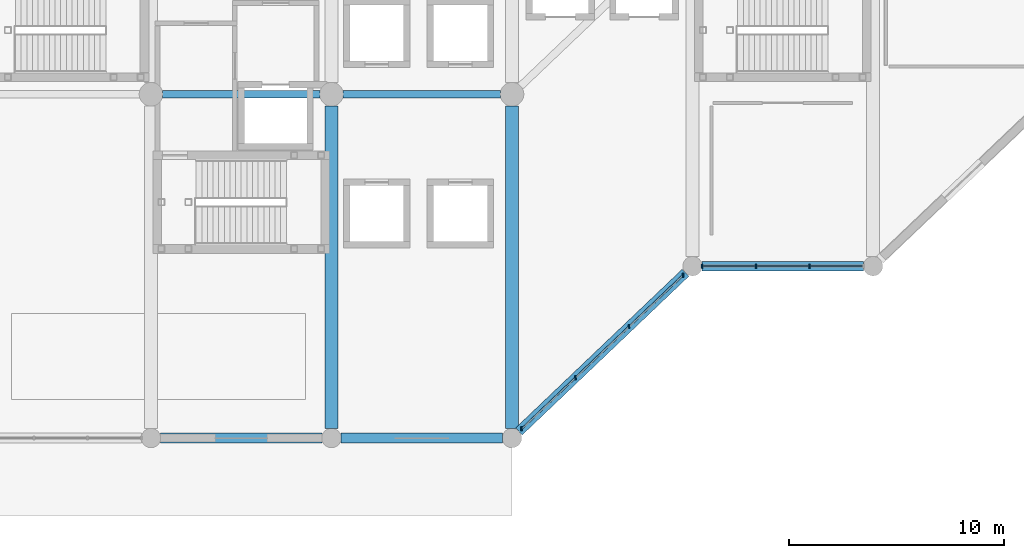
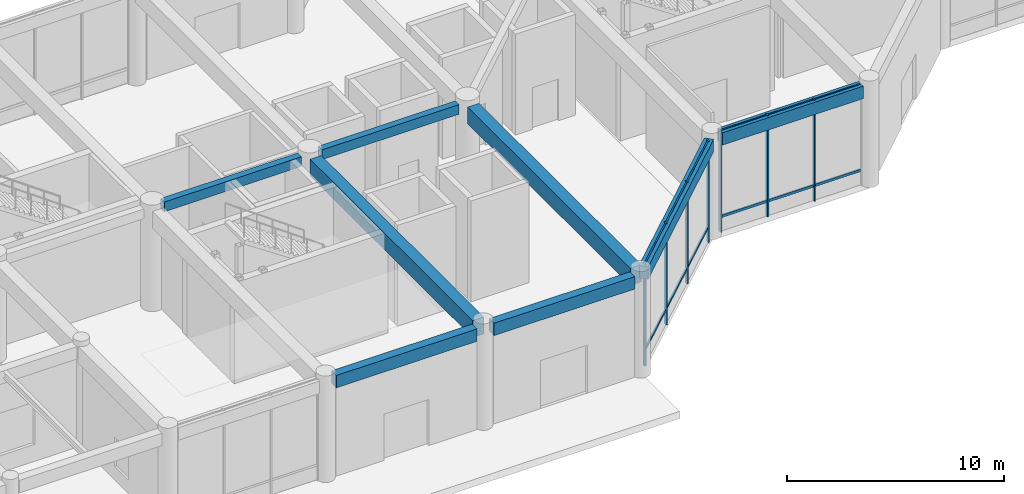
# One storey, part 38 of 76: 19 members, 8 beams, 2 elements without a shape of their own.
"""IFC4 building model written with IfcOpenShell, lengths in metres."""

from ifc_helpers import new_model, si_unit, direction, frame, origin, origin_2d, place, context, subcontext, project, spatial, rectangle, extrude, material, layer, layer_set, material_profile, profile_set, type_object, element, aggregate, save


model = new_model("IFC4")

# Units and contexts
model_context = context("Model", 3, precision=1e-05, world=origin(), true_north=direction((0.0, 1.0)))
body_context = subcontext(model_context, "Body", "Model", "MODEL_VIEW")
ifc_project = project(units=[si_unit("LENGTHUNIT", "METRE"), si_unit("AREAUNIT", "SQUARE_METRE"), si_unit("VOLUMEUNIT", "CUBIC_METRE"), si_unit("PLANEANGLEUNIT", "RADIAN"), si_unit("MASSUNIT", "GRAM", prefix="KILO")], contexts=[model_context])

# Site, building, storey
site_placement = place(None, origin())
site = spatial("IfcSite", under=ifc_project, at=site_placement, CompositionType="ELEMENT")
building_placement = place(site_placement, origin())
building = spatial("IfcBuilding", under=site, at=building_placement, Name="Naruveol Harbour Congress Hotel", CompositionType="ELEMENT")
storey_placement = place(building_placement, origin())
storey = spatial("IfcBuildingStorey", under=building, at=storey_placement, Name="L00", CompositionType="ELEMENT", Elevation=0.0)

# Beams
ifc_material_1 = material(Name="Concrete C40/50", Category="concrete")
ifc_material_profile_1 = material_profile(ifc_material_1, rectangle(XDim=0.60009765625, YDim=0.949951171875, at=origin_2d()), Name="RCB-600x950")
ifc_profile_set_1 = profile_set([ifc_material_profile_1], Name="Concrete C40/50")
beam_type_1 = type_object("IfcBeamType", Name="RC LONG SPAN GIRDER 600X950", PredefinedType="BEAM", material=ifc_profile_set_1)
for number, where, z_axis, x_axis, name in (
    (1, (134.39990234375, 0.446044921875, 5.22509765625), (0.0, 1.0, 0.0), (-1.0, 0.0, 0.0), "Hotel pilotis girder L01 CB1"),
    (2, (142.800048828125, 0.446044921875, 5.22509765625), (0.0, 1.0, 0.0), (-1.0, 0.0, 0.0), "Hotel pilotis girder L01 CB1"),
):
    element("IfcBeam", number, at=place(storey_placement, frame(where, z_axis=z_axis, x_axis=x_axis)), inside=storey, type_object=beam_type_1, Name=name, PredefinedType="BEAM", context=body_context, shape_type="SweptSolid", body=[
        extrude(rectangle(XDim=0.60009765625, YDim=0.949951171875, at=origin_2d()), origin(), (0.0, 0.0, 1.0), 15.008056640625),
    ])
ifc_material_2 = material(Name="Concrete C40/50", Category="concrete")
ifc_material_profile_2 = material_profile(ifc_material_2, rectangle(XDim=0.35009765625, YDim=0.550048828125, at=origin_2d()), Name="RCB-350x550")
ifc_profile_set_2 = profile_set([ifc_material_profile_2], Name="Concrete C40/50")
beam_type_2 = type_object("IfcBeamType", Name="RC SECONDARY BEAM 350X550", PredefinedType="JOIST", material=ifc_profile_set_2)
beam_1_placement = place(storey_placement, frame((126.5458984375, 16.0, 5.425048828125), z_axis=(1.0, 0.0, 0.0), x_axis=(0.0, 1.0, 0.0)))
element("IfcBeam", 3, at=beam_1_placement, inside=storey, type_object=beam_type_2, Name="Hotel chord beam L01 CJ1", PredefinedType="JOIST", context=body_context, shape_type="SweptSolid", body=[
    extrude(rectangle(XDim=0.35009765625, YDim=0.550048828125, at=origin_2d()), origin(), (0.0, 0.0, 1.0), 7.30810546875),
])
beam_2_placement = place(storey_placement, frame((134.946044921875, 16.0, 5.425048828125), z_axis=(1.0, 0.0, 0.0), x_axis=(0.0, 1.0, 0.0)))
element("IfcBeam", 4, at=beam_2_placement, inside=storey, type_object=beam_type_2, Name="Hotel chord beam L01 CJ1", PredefinedType="JOIST", context=body_context, shape_type="SweptSolid", body=[
    extrude(rectangle(XDim=0.35009765625, YDim=0.550048828125, at=origin_2d()), origin(), (0.0, 0.0, 1.0), 7.307861328125),
])
ifc_material_3 = material(Name="Concrete C40/50", Category="concrete")
ifc_material_profile_3 = material_profile(ifc_material_3, rectangle(XDim=0.449951171875, YDim=0.699951171875, at=origin_2d()), Name="RCB-450x700")
ifc_profile_set_3 = profile_set([ifc_material_profile_3], Name="Concrete C40/50")
beam_type_3 = type_object("IfcBeamType", Name="RC SPANDREL BEAM 450X700", PredefinedType="SPANDREL", material=ifc_profile_set_3)
for number, where, z_axis, x_axis, name in (
    (5, (126.446044921875, 0.0, 5.35009765625), (1.0, 0.0, 0.0), (0.0, 1.0, 0.0), "Hotel chord beam L01 SPB1"),
    (6, (134.845947265625, 0.0, 5.35009765625), (1.0, 0.0, 0.0), (0.0, 1.0, 0.0), "Hotel chord beam L01 SPB1"),
):
    element("IfcBeam", number, at=place(storey_placement, frame(where, z_axis=z_axis, x_axis=x_axis)), inside=storey, type_object=beam_type_3, Name=name, PredefinedType="SPANDREL", context=body_context, shape_type="SweptSolid", body=[
        extrude(rectangle(XDim=0.449951171875, YDim=0.699951171875, at=origin_2d()), origin(), (0.0, 0.0, 1.0), 7.508056640625),
    ])
beam_3_placement = place(storey_placement, frame((143.123046875, 0.3076171875, 5.35009765625), z_axis=(0.724133593293, 0.689659727013, 0.0), x_axis=(-0.689659727013, 0.724133593293, 0.0)))
element("IfcBeam", 7, at=beam_3_placement, inside=storey, type_object=beam_type_3, Name="Hotel chord beam L01 SPB1", PredefinedType="SPANDREL", context=body_context, shape_type="SweptSolid", body=[
    extrude(rectangle(XDim=0.449951171875, YDim=0.699951171875, at=origin_2d()), origin(), (0.0, 0.0, 1.0), 10.707763671875),
])
beam_4_placement = place(storey_placement, frame((151.64599609375, 8.0, 5.35009765625), z_axis=(1.0, 0.0, 0.0), x_axis=(0.0, 1.0, 0.0)))
element("IfcBeam", 8, at=beam_4_placement, inside=storey, type_object=beam_type_3, Name="Hotel chord beam L01 SPB1", PredefinedType="SPANDREL", context=body_context, shape_type="SweptSolid", body=[
    extrude(rectangle(XDim=0.449951171875, YDim=0.699951171875, at=origin_2d()), origin(), (0.0, 0.0, 1.0), 7.508056640625),
])

# Curtain wall, members
ifc_material_4 = material(Name="Low-E Curtain Wall System", Category="glass")
ifc_layer_1 = layer(ifc_material_4, 0.179931640625)
ifc_layer_set_1 = layer_set([ifc_layer_1], Name="Low-E Curtain Wall System")
curtain_wall_type_1 = type_object("IfcCurtainWallType", Name="UNITISED CURTAIN WALL CW-V5S-48 10357X5720", PredefinedType="USERDEFINED", material=ifc_layer_set_1)
curtain_wall_1_placement = place(storey_placement, origin())
curtain_wall_1 = element("IfcCurtainWall", 9, at=curtain_wall_1_placement, inside=storey, type_object=curtain_wall_type_1, Name="Unitised curtain wall CW-V5S-48 L00", ObjectType="UNITISED GLAZING", PredefinedType="USERDEFINED")
ifc_material_5 = material(Name="Anodised Aluminium 6063-T6", Category="aluminium")
ifc_material_profile_4 = material_profile(ifc_material_5, rectangle(XDim=0.074951171875, YDim=0.179931640625, at=origin_2d()), Name="ALU-75x180")
ifc_profile_set_4 = profile_set([ifc_material_profile_4], Name="Anodised Aluminium 6063-T6")
member_type_1 = type_object("IfcMemberType", Name="THERMAL ALUMINIUM MULLION 75X180", PredefinedType="MULLION", material=ifc_profile_set_4)
member_1_placement = place(storey_placement, frame((150.75, 7.571044921875, 0.0), z_axis=(0.0, 0.0, 1.0), x_axis=(1.0, 0.0, 0.0)))
member_1 = element("IfcMember", 10, at=member_1_placement, type_object=member_type_1, Name="Curtain wall mullion CW-L00-0128-M0", PredefinedType="MULLION", context=body_context, shape_type="SweptSolid", body=[
    extrude(rectangle(XDim=0.074951171875, YDim=0.179931640625, at=origin_2d()), origin(), (0.0, 0.0, 1.0), 5.719970703125),
])
member_2_placement = place(storey_placement, frame((148.25, 5.190185546875, 0.0), z_axis=(0.0, 0.0, 1.0), x_axis=(1.0, 0.0, 0.0)))
member_2 = element("IfcMember", 11, at=member_2_placement, type_object=member_type_1, Name="Curtain wall mullion CW-L00-0128-M1", PredefinedType="MULLION", context=body_context, shape_type="SweptSolid", body=[
    extrude(rectangle(XDim=0.074951171875, YDim=0.179931640625, at=origin_2d()), origin(), (0.0, 0.0, 1.0), 5.719970703125),
])
member_3_placement = place(storey_placement, frame((145.75, 2.809814453125, 0.0), z_axis=(0.0, 0.0, 1.0), x_axis=(1.0, 0.0, 0.0)))
member_3 = element("IfcMember", 12, at=member_3_placement, type_object=member_type_1, Name="Curtain wall mullion CW-L00-0128-M2", PredefinedType="MULLION", context=body_context, shape_type="SweptSolid", body=[
    extrude(rectangle(XDim=0.074951171875, YDim=0.179931640625, at=origin_2d()), origin(), (0.0, 0.0, 1.0), 5.719970703125),
])
member_4_placement = place(storey_placement, frame((143.25, 0.428955078125, 0.0), z_axis=(0.0, 0.0, 1.0), x_axis=(1.0, 0.0, 0.0)))
member_4 = element("IfcMember", 13, at=member_4_placement, type_object=member_type_1, Name="Curtain wall mullion CW-L00-0128-M3", PredefinedType="MULLION", context=body_context, shape_type="SweptSolid", body=[
    extrude(rectangle(XDim=0.074951171875, YDim=0.179931640625, at=origin_2d()), origin(), (0.0, 0.0, 1.0), 5.719970703125),
])

ifc_material_6 = material(Name="Low-E Curtain Wall System", Category="glass")
ifc_layer_2 = layer(ifc_material_6, 0.179931640625)
ifc_layer_set_2 = layer_set([ifc_layer_2], Name="Low-E Curtain Wall System")
curtain_wall_type_2 = type_object("IfcCurtainWallType", Name="UNITISED CURTAIN WALL CW-V5S-46 7500X5720", PredefinedType="USERDEFINED", material=ifc_layer_set_2)
curtain_wall_2_placement = place(storey_placement, origin())
curtain_wall_2 = element("IfcCurtainWall", 14, at=curtain_wall_2_placement, inside=storey, type_object=curtain_wall_type_2, Name="Unitised curtain wall CW-V5S-46 L00", ObjectType="UNITISED GLAZING", PredefinedType="USERDEFINED")
member_5_placement = place(storey_placement, frame((156.64990234375, 8.0, 0.0), z_axis=(0.0, 0.0, 1.0), x_axis=(1.0, 0.0, 0.0)))
member_5 = element("IfcMember", 15, at=member_5_placement, type_object=member_type_1, Name="Curtain wall mullion CW-L00-0130-M1", PredefinedType="MULLION", context=body_context, shape_type="SweptSolid", body=[
    extrude(rectangle(XDim=0.074951171875, YDim=0.179931640625, at=origin_2d()), origin(), (0.0, 0.0, 1.0), 5.719970703125),
])
member_6_placement = place(storey_placement, frame((154.14990234375, 8.0, 0.0), z_axis=(0.0, 0.0, 1.0), x_axis=(1.0, 0.0, 0.0)))
member_6 = element("IfcMember", 16, at=member_6_placement, type_object=member_type_1, Name="Curtain wall mullion CW-L00-0130-M2", PredefinedType="MULLION", context=body_context, shape_type="SweptSolid", body=[
    extrude(rectangle(XDim=0.074951171875, YDim=0.179931640625, at=origin_2d()), origin(), (0.0, 0.0, 1.0), 5.719970703125),
])
member_7_placement = place(storey_placement, frame((151.64990234375, 8.0, 0.0), z_axis=(0.0, 0.0, 1.0), x_axis=(1.0, 0.0, 0.0)))
member_7 = element("IfcMember", 17, at=member_7_placement, type_object=member_type_1, Name="Curtain wall mullion CW-L00-0130-M3", PredefinedType="MULLION", context=body_context, shape_type="SweptSolid", body=[
    extrude(rectangle(XDim=0.074951171875, YDim=0.179931640625, at=origin_2d()), origin(), (0.0, 0.0, 1.0), 5.719970703125),
])

# Member
ifc_material_7 = material(Name="Anodised Aluminium 6063-T6", Category="aluminium")
ifc_material_profile_5 = material_profile(ifc_material_7, rectangle(XDim=0.074951171875, YDim=0.14990234375, at=origin_2d()), Name="ALU-75x150")
ifc_profile_set_5 = profile_set([ifc_material_profile_5], Name="Anodised Aluminium 6063-T6")
member_type_2 = type_object("IfcMemberType", Name="THERMAL ALUMINIUM TRANSOM 75X150", PredefinedType="USERDEFINED", material=ifc_profile_set_5)
member_8_placement = place(storey_placement, frame((150.720947265625, 7.54345703125, 0.85009765625), z_axis=(-0.7241637576, -0.689628053503, 0.0), x_axis=(0.689628053503, -0.7241637576, 0.0)))
member_8 = element("IfcMember", 18, at=member_8_placement, type_object=member_type_2, Name="Curtain wall transom CW-L00-0128-T0.1", ObjectType="TRANSOM", PredefinedType="USERDEFINED", context=body_context, shape_type="SweptSolid", body=[
    extrude(rectangle(XDim=0.074951171875, YDim=0.14990234375, at=origin_2d()), origin(), (0.0, 0.0, 1.0), 3.3720703125),
])

member_9_placement = place(storey_placement, frame((150.720947265625, 7.54345703125, 5.639892578125), z_axis=(-0.7241637576, -0.689628053503, 0.0), x_axis=(0.689628053503, -0.7241637576, 0.0)))
member_9 = element("IfcMember", 19, at=member_9_placement, type_object=member_type_2, Name="Curtain wall transom CW-L00-0128-T0.2", ObjectType="TRANSOM", PredefinedType="USERDEFINED", context=body_context, shape_type="SweptSolid", body=[
    extrude(rectangle(XDim=0.074951171875, YDim=0.14990234375, at=origin_2d()), origin(), (0.0, 0.0, 1.0), 3.3720703125),
])

member_10_placement = place(storey_placement, frame((148.220947265625, 5.162841796875, 0.85009765625), z_axis=(-0.72412760064, -0.689666019166, 0.0), x_axis=(0.689666019166, -0.72412760064, 0.0)))
member_10 = element("IfcMember", 20, at=member_10_placement, type_object=member_type_2, Name="Curtain wall transom CW-L00-0128-T1.1", ObjectType="TRANSOM", PredefinedType="USERDEFINED", context=body_context, shape_type="SweptSolid", body=[
    extrude(rectangle(XDim=0.074951171875, YDim=0.14990234375, at=origin_2d()), origin(), (0.0, 0.0, 1.0), 3.3720703125),
])

member_11_placement = place(storey_placement, frame((148.220947265625, 5.162841796875, 5.639892578125), z_axis=(-0.72412760064, -0.689666019166, 0.0), x_axis=(0.689666019166, -0.72412760064, 0.0)))
member_11 = element("IfcMember", 21, at=member_11_placement, type_object=member_type_2, Name="Curtain wall transom CW-L00-0128-T1.2", ObjectType="TRANSOM", PredefinedType="USERDEFINED", context=body_context, shape_type="SweptSolid", body=[
    extrude(rectangle(XDim=0.074951171875, YDim=0.14990234375, at=origin_2d()), origin(), (0.0, 0.0, 1.0), 3.3720703125),
])

member_12_placement = place(storey_placement, frame((145.720947265625, 2.781982421875, 0.85009765625), z_axis=(-0.7241637576, -0.689628053503, 0.0), x_axis=(0.689628053503, -0.7241637576, 0.0)))
member_12 = element("IfcMember", 22, at=member_12_placement, type_object=member_type_2, Name="Curtain wall transom CW-L00-0128-T2.1", ObjectType="TRANSOM", PredefinedType="USERDEFINED", context=body_context, shape_type="SweptSolid", body=[
    extrude(rectangle(XDim=0.074951171875, YDim=0.14990234375, at=origin_2d()), origin(), (0.0, 0.0, 1.0), 3.3720703125),
])

member_13_placement = place(storey_placement, frame((145.720947265625, 2.781982421875, 5.639892578125), z_axis=(-0.7241637576, -0.689628053503, 0.0), x_axis=(0.689628053503, -0.7241637576, 0.0)))
member_13 = element("IfcMember", 23, at=member_13_placement, type_object=member_type_2, Name="Curtain wall transom CW-L00-0128-T2.2", ObjectType="TRANSOM", PredefinedType="USERDEFINED", context=body_context, shape_type="SweptSolid", body=[
    extrude(rectangle(XDim=0.074951171875, YDim=0.14990234375, at=origin_2d()), origin(), (0.0, 0.0, 1.0), 3.3720703125),
])

aggregate(curtain_wall_1, [member_1, member_2, member_3, member_4, member_8, member_9, member_10, member_11, member_12, member_13])

member_14_placement = place(storey_placement, frame((159.110107421875, 8.0, 0.85009765625), z_axis=(-1.0, 0.0, 0.0), x_axis=(0.0, -1.0, 0.0)))
member_14 = element("IfcMember", 24, at=member_14_placement, type_object=member_type_2, Name="Curtain wall transom CW-L00-0130-T0.1", ObjectType="TRANSOM", PredefinedType="USERDEFINED", context=body_context, shape_type="SweptSolid", body=[
    extrude(rectangle(XDim=0.074951171875, YDim=0.14990234375, at=origin_2d()), origin(), (0.0, 0.0, 1.0), 2.420166015625),
])

member_15_placement = place(storey_placement, frame((159.110107421875, 8.0, 5.639892578125), z_axis=(-1.0, 0.0, 0.0), x_axis=(0.0, -1.0, 0.0)))
member_15 = element("IfcMember", 25, at=member_15_placement, type_object=member_type_2, Name="Curtain wall transom CW-L00-0130-T0.2", ObjectType="TRANSOM", PredefinedType="USERDEFINED", context=body_context, shape_type="SweptSolid", body=[
    extrude(rectangle(XDim=0.074951171875, YDim=0.14990234375, at=origin_2d()), origin(), (0.0, 0.0, 1.0), 2.420166015625),
])

member_16_placement = place(storey_placement, frame((156.610107421875, 8.0, 0.85009765625), z_axis=(-1.0, 0.0, 0.0), x_axis=(0.0, -1.0, 0.0)))
member_16 = element("IfcMember", 26, at=member_16_placement, type_object=member_type_2, Name="Curtain wall transom CW-L00-0130-T1.1", ObjectType="TRANSOM", PredefinedType="USERDEFINED", context=body_context, shape_type="SweptSolid", body=[
    extrude(rectangle(XDim=0.074951171875, YDim=0.14990234375, at=origin_2d()), origin(), (0.0, 0.0, 1.0), 2.420166015625),
])

member_17_placement = place(storey_placement, frame((156.610107421875, 8.0, 5.639892578125), z_axis=(-1.0, 0.0, 0.0), x_axis=(0.0, -1.0, 0.0)))
member_17 = element("IfcMember", 27, at=member_17_placement, type_object=member_type_2, Name="Curtain wall transom CW-L00-0130-T1.2", ObjectType="TRANSOM", PredefinedType="USERDEFINED", context=body_context, shape_type="SweptSolid", body=[
    extrude(rectangle(XDim=0.074951171875, YDim=0.14990234375, at=origin_2d()), origin(), (0.0, 0.0, 1.0), 2.420166015625),
])

member_18_placement = place(storey_placement, frame((154.110107421875, 8.0, 0.85009765625), z_axis=(-1.0, 0.0, 0.0), x_axis=(0.0, -1.0, 0.0)))
member_18 = element("IfcMember", 28, at=member_18_placement, type_object=member_type_2, Name="Curtain wall transom CW-L00-0130-T2.1", ObjectType="TRANSOM", PredefinedType="USERDEFINED", context=body_context, shape_type="SweptSolid", body=[
    extrude(rectangle(XDim=0.074951171875, YDim=0.14990234375, at=origin_2d()), origin(), (0.0, 0.0, 1.0), 2.420166015625),
])

member_19_placement = place(storey_placement, frame((154.110107421875, 8.0, 5.639892578125), z_axis=(-1.0, 0.0, 0.0), x_axis=(0.0, -1.0, 0.0)))
member_19 = element("IfcMember", 29, at=member_19_placement, type_object=member_type_2, Name="Curtain wall transom CW-L00-0130-T2.2", ObjectType="TRANSOM", PredefinedType="USERDEFINED", context=body_context, shape_type="SweptSolid", body=[
    extrude(rectangle(XDim=0.074951171875, YDim=0.14990234375, at=origin_2d()), origin(), (0.0, 0.0, 1.0), 2.420166015625),
])

aggregate(curtain_wall_2, [member_5, member_6, member_7, member_14, member_15, member_16, member_17, member_18, member_19])

save(model, "model.ifc")
